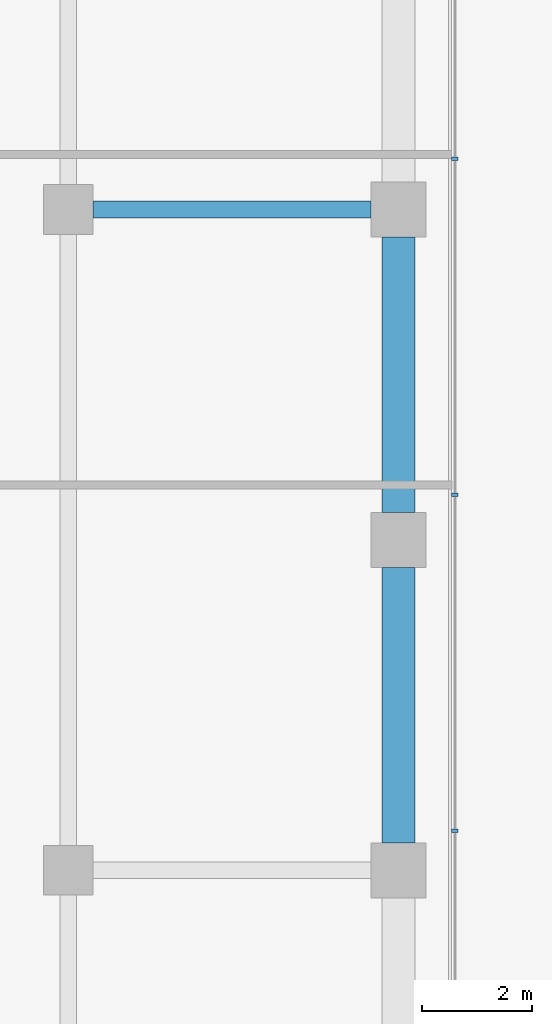
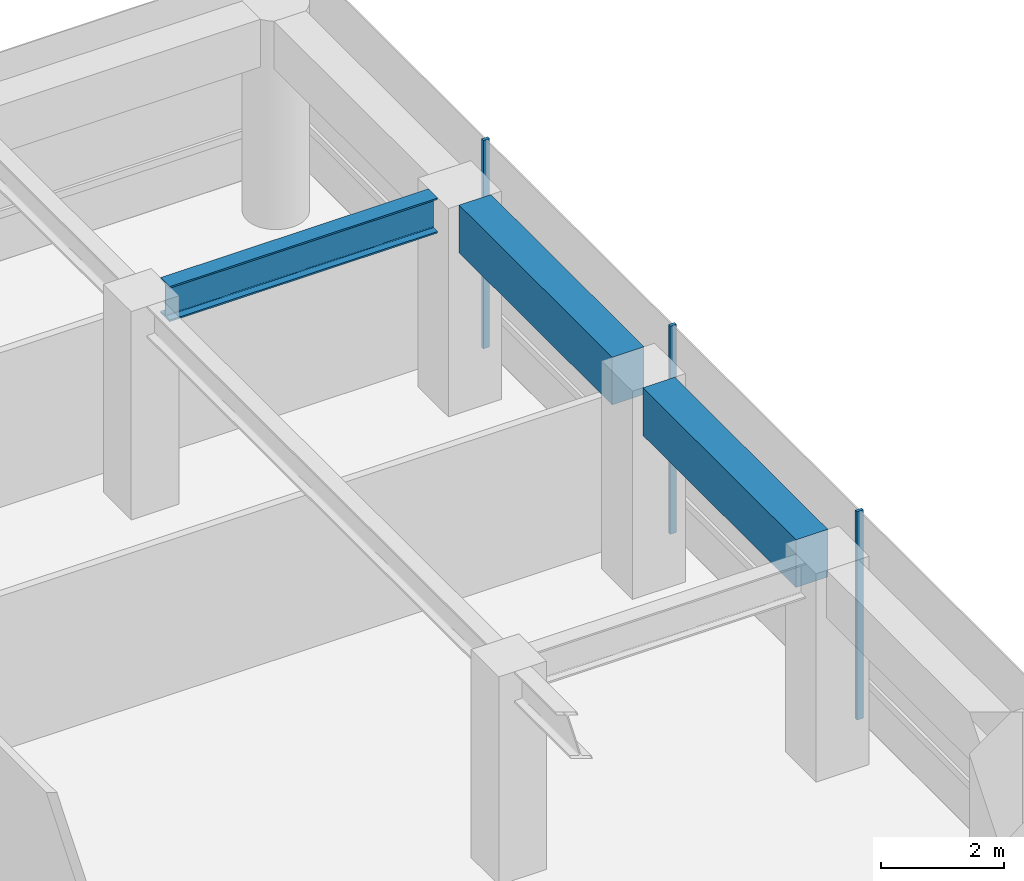
# One storey, part 17 of 24: 3 beams, 3 members, 1 element without a shape of its own.
"""IFC4 building model written with IfcOpenShell, lengths in metres."""

from ifc_helpers import new_model, si_unit, direction, frame, origin, origin_2d, place, context, subcontext, project, spatial, rectangle, i_section, extrude, material, layer, layer_set, material_profile, profile_set, type_object, element, aggregate, save


model = new_model("IFC4")

# Units and contexts
model_context = context("Model", 3, precision=1e-05, world=origin(), true_north=direction((0.0, 1.0)))
body_context = subcontext(model_context, "Body", "Model", "MODEL_VIEW")
ifc_project = project(units=[si_unit("LENGTHUNIT", "METRE"), si_unit("AREAUNIT", "SQUARE_METRE"), si_unit("VOLUMEUNIT", "CUBIC_METRE"), si_unit("PLANEANGLEUNIT", "RADIAN"), si_unit("MASSUNIT", "GRAM", prefix="KILO")], contexts=[model_context])

# Site, building, storey
site_placement = place(None, origin())
site = spatial("IfcSite", under=ifc_project, at=site_placement, CompositionType="ELEMENT")
building_placement = place(site_placement, origin())
building = spatial("IfcBuilding", under=site, at=building_placement, Name="Welwitschia Terrace Campus", CompositionType="ELEMENT")
storey_placement = place(building_placement, frame((0.0, 0.0, 24.5)))
storey = spatial("IfcBuildingStorey", under=building, at=storey_placement, Name="L05", CompositionType="ELEMENT", Elevation=24.5)

# Curtain wall, members
ifc_material_1 = material(Name="Bronze anodised aluminium", Category="aluminium")
ifc_layer = layer(ifc_material_1, 0.1201171875)
ifc_layer_set = layer_set([ifc_layer], Name="Bronze anodised aluminium")
curtain_wall_type = type_object("IfcCurtainWallType", Name="Curtain wall CW2 tower 6000", PredefinedType="NOTDEFINED", material=ifc_layer_set)
curtain_wall_placement = place(storey_placement, origin())
curtain_wall = element("IfcCurtainWall", 1, at=curtain_wall_placement, inside=storey, type_object=curtain_wall_type, Name="CW L05.7.0", PredefinedType="NOTDEFINED")
ifc_material_2 = material(Name="Bronze anodised aluminium", Category="aluminium")
ifc_material_profile_1 = material_profile(ifc_material_2, rectangle(XDim=0.1201171875, YDim=0.06005859375, at=origin_2d()))
ifc_profile_set_1 = profile_set([ifc_material_profile_1], Name="Bronze anodised aluminium")
member_type = type_object("IfcMemberType", Name="Mullion 60x120", PredefinedType="MULLION", material=ifc_profile_set_1)
member_1_placement = place(storey_placement, frame((25.02001953125, 44.72119140625, 0.0), z_axis=(0.0, 0.0, 1.0), x_axis=(-1.0, 0.0, 0.0)))
member_1 = element("IfcMember", 2, at=member_1_placement, type_object=member_type, Name="Mullion L05.7.0.3", PredefinedType="MULLION", context=body_context, shape_type="SweptSolid", body=[
    extrude(rectangle(XDim=0.1201171875, YDim=0.06005859375, at=origin_2d()), origin(), (0.0, 0.0, 1.0), 4.14990234375),
])
member_2_placement = place(storey_placement, frame((25.02001953125, 50.82080078125, 0.0), z_axis=(0.0, 0.0, 1.0), x_axis=(-1.0, 0.0, 0.0)))
member_2 = element("IfcMember", 3, at=member_2_placement, type_object=member_type, Name="Mullion L05.7.0.4", PredefinedType="MULLION", context=body_context, shape_type="SweptSolid", body=[
    extrude(rectangle(XDim=0.1201171875, YDim=0.06005859375, at=origin_2d()), origin(), (0.0, 0.0, 1.0), 4.14990234375),
])
member_3_placement = place(storey_placement, frame((25.02001953125, 56.92041015625, 0.0), z_axis=(0.0, 0.0, 1.0), x_axis=(-1.0, 0.0, 0.0)))
member_3 = element("IfcMember", 4, at=member_3_placement, type_object=member_type, Name="Mullion L05.7.0.5", PredefinedType="MULLION", context=body_context, shape_type="SweptSolid", body=[
    extrude(rectangle(XDim=0.1201171875, YDim=0.06005859375, at=origin_2d()), origin(), (0.0, 0.0, 1.0), 4.14990234375),
])
aggregate(curtain_wall, [member_1, member_2, member_3])

# Beams
ifc_material_3 = material(Name="Steel S355", Category="steel")
ifc_material_profile_2 = material_profile(ifc_material_3, i_section(OverallWidth=0.300048828125, OverallDepth=0.699951171875, WebThickness=0.01708984375, FlangeThickness=0.031982421875, FilletRadius=0.027099609375, at=origin_2d()))
ifc_profile_set_2 = profile_set([ifc_material_profile_2], Name="Steel S355")
beam_type_1 = type_object("IfcBeamType", Name="Primary beam HE 700 B", PredefinedType="BEAM", material=ifc_profile_set_2)
beam_placement = place(storey_placement, frame((23.49951171875, 56.0, 3.800048828125), z_axis=(-1.0, 0.0, 0.0), x_axis=(0.0, -1.0, 0.0)))
element("IfcBeam", 5, at=beam_placement, inside=storey, type_object=beam_type_1, Name="Primary beam PB1", PredefinedType="BEAM", context=body_context, shape_type="SweptSolid", body=[
    extrude(i_section(OverallWidth=0.300048828125, OverallDepth=0.699951171875, WebThickness=0.01708984375, FlangeThickness=0.031982421875, FilletRadius=0.027099609375, at=origin_2d()), origin(), (0.0, 0.0, 1.0), 5.049072265625),
])
ifc_material_4 = material(Name="Concrete C60/75", Category="concrete")
ifc_material_profile_3 = material_profile(ifc_material_4, rectangle(XDim=0.60009765625, YDim=0.949951171875, at=origin_2d()))
ifc_profile_set_3 = profile_set([ifc_material_profile_3], Name="Concrete C60/75")
beam_type_2 = type_object("IfcBeamType", Name="Ring spandrel 600x950", PredefinedType="SPANDREL", material=ifc_profile_set_3)
for number, where, z_axis, x_axis, name in (
    (6, (24.0, 44.50048828125, 3.675048828125), (0.0, 1.0, 0.0), (-1.0, 0.0, 0.0), "Spandrel SP1"),
    (7, (24.0, 50.50048828125, 3.675048828125), (0.0, 1.0, 0.0), (-1.0, 0.0, 0.0), "Spandrel SP1"),
):
    element("IfcBeam", number, at=place(storey_placement, frame(where, z_axis=z_axis, x_axis=x_axis)), inside=storey, type_object=beam_type_2, Name=name, PredefinedType="SPANDREL", context=body_context, shape_type="SweptSolid", body=[
        extrude(rectangle(XDim=0.60009765625, YDim=0.949951171875, at=origin_2d()), origin(), (0.0, 0.0, 1.0), 4.9990234375),
    ])

save(model, "model.ifc")
